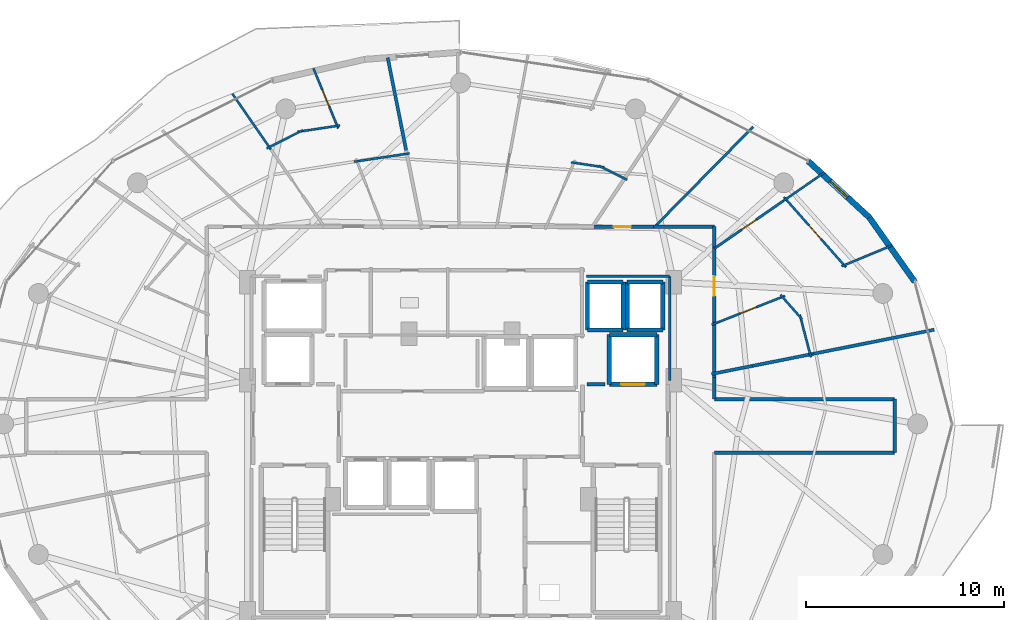
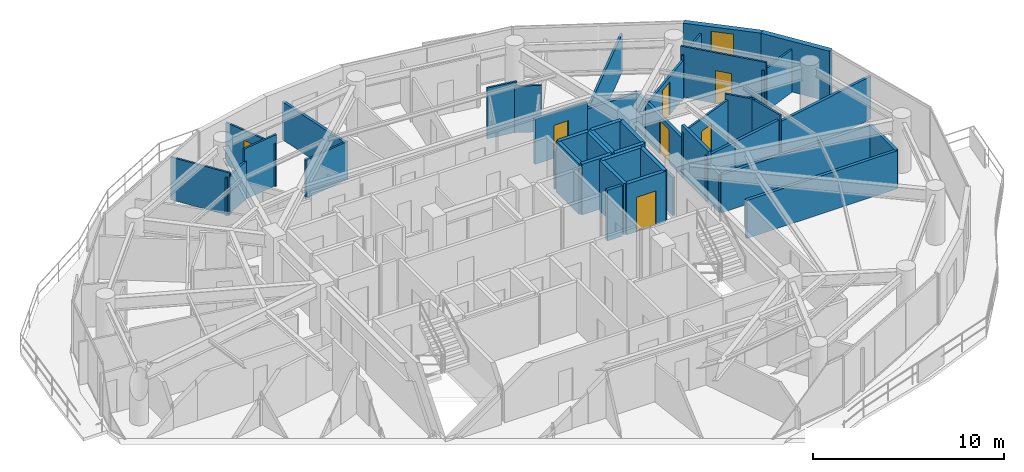
# One storey, part 25 of 30: 45 walls, 7 doors, 1 window, 8 openings.
"""IFC4 building model written with IfcOpenShell, lengths in metres."""

from ifc_helpers import new_model, si_unit, direction, frame, frame_2d, origin, place, context, subcontext, project, spatial, rectangle, extrude, material, layer, layer_set, type_object, element, fill, save


model = new_model("IFC4")

# Units and contexts
model_context = context("Model", 3, precision=1e-05, world=origin(), true_north=direction((0.0, 1.0)))
body_context = subcontext(model_context, "Body", "Model", "MODEL_VIEW")
ifc_project = project(units=[si_unit("LENGTHUNIT", "METRE"), si_unit("AREAUNIT", "SQUARE_METRE"), si_unit("VOLUMEUNIT", "CUBIC_METRE"), si_unit("PLANEANGLEUNIT", "RADIAN"), si_unit("MASSUNIT", "GRAM", prefix="KILO")], contexts=[model_context])

# Site, building, storey
site_placement = place(None, origin())
site = spatial("IfcSite", under=ifc_project, at=site_placement, CompositionType="ELEMENT")
building_placement = place(site_placement, origin())
building = spatial("IfcBuilding", under=site, at=building_placement, Name="Vorneva Point Tower", CompositionType="ELEMENT")
storey_placement = place(building_placement, frame((0.0, 0.0, 153.60009765625)))
storey = spatial("IfcBuildingStorey", under=building, at=storey_placement, Name="L41", CompositionType="ELEMENT", Elevation=153.60009765625)

# Wall, opening, door
ifc_material_1 = material(Name="Concrete B60 (C50/60)", Category="concrete")
ifc_layer_1 = layer(ifc_material_1, 0.5)
ifc_layer_set_1 = layer_set([ifc_layer_1], Name="Concrete B60 (C50/60)")
wall_type_1 = type_object("IfcWallType", Name="WL-CORE-500", PredefinedType="SHEAR", material=ifc_layer_set_1)
wall_1_placement = place(storey_placement, frame((45.5, 28.0, 0.0), z_axis=(0.0, 0.0, 1.0), x_axis=(1.0, 0.0, 0.0)))
wall_1 = element("IfcWall", 1, at=wall_1_placement, inside=storey, type_object=wall_type_1, Name="L41 Lift FFL2 Shaft Wall -Y", PredefinedType="SHEAR", context=body_context, shape_type="SweptSolid", body=[
    extrude(rectangle(XDim=2.39990234375, YDim=0.219970703125, at=frame_2d((1.199951171875, 0.0))), origin(), (0.0, 0.0, 1.0), 3.239990234375),
])
opening_1_placement = place(wall_1_placement, frame((0.60009765625, 0.0, 0.0)))
opening_1 = element("IfcOpeningElement", 2, at=opening_1_placement, cuts=wall_1, Name="Opening LD-02", PredefinedType="OPENING", context=body_context, shape_type="SweptSolid", body=[
    extrude(rectangle(XDim=1.199951171875, YDim=2.199951171875, at=frame_2d((0.60009765625, 1.10009765625))), frame((0.0, 0.125, 0.0), z_axis=(0.0, -1.0, 0.0), x_axis=(1.0, 0.0, 0.0)), (0.0, 0.0, 1.0), 0.249755859375),
])
ifc_material_2 = material(Name="Brushed stainless steel S304", Category="steel")
door_type_1 = type_object("IfcDoorType", Name="LD-FIRE-1200", OperationType="SLIDING_TO_LEFT", PredefinedType="DOOR", material=ifc_material_2)
door_1_placement = place(opening_1_placement, origin())
door_1 = element("IfcDoor", 3, at=door_1_placement, inside=storey, type_object=door_type_1, Name="L41 Lift FFL2 Sliding Landing Door", OperationType="SLIDING_TO_LEFT", OverallHeight=2.199951171875, OverallWidth=1.199951171875, PredefinedType="DOOR", context=body_context, shape_type="SweptSolid", body=[
    extrude(rectangle(XDim=1.199951171875, YDim=2.199951171875, at=frame_2d((0.60009765625, 1.10009765625))), frame((0.0, 0.02490234375, 0.0), z_axis=(0.0, -1.0, 0.0), x_axis=(1.0, 0.0, 0.0)), (0.0, 0.0, 1.0), 0.050048828125),
])
fill(opening_1, door_1)

# Walls
wall_2_placement = place(storey_placement, frame((47.89990234375, 28.0, 0.0), z_axis=(0.0, 0.0, 1.0), x_axis=(0.0, 1.0, 0.0)))
element("IfcWall", 4, at=wall_2_placement, inside=storey, type_object=wall_type_1, Name="L41 Lift FFL2 Shaft Wall +X", PredefinedType="SHEAR", context=body_context, shape_type="SweptSolid", body=[
    extrude(rectangle(XDim=2.5, YDim=0.219970703125, at=frame_2d((1.25, 0.0))), origin(), (0.0, 0.0, 1.0), 3.239990234375),
])
wall_3_placement = place(storey_placement, frame((47.89990234375, 30.5, 0.0), z_axis=(0.0, 0.0, 1.0), x_axis=(-1.0, 0.0, 0.0)))
element("IfcWall", 5, at=wall_3_placement, inside=storey, type_object=wall_type_1, Name="L41 Lift FFL2 Shaft Wall +Y", PredefinedType="SHEAR", context=body_context, shape_type="SweptSolid", body=[
    extrude(rectangle(XDim=2.39990234375, YDim=0.219970703125, at=frame_2d((1.199951171875, 0.0))), origin(), (0.0, 0.0, 1.0), 3.239990234375),
])
wall_4_placement = place(storey_placement, frame((45.5, 30.5, 0.0), z_axis=(0.0, 0.0, 1.0), x_axis=(0.0, -1.0, 0.0)))
element("IfcWall", 6, at=wall_4_placement, inside=storey, type_object=wall_type_1, Name="L41 Lift FFL2 Shaft Wall -X", PredefinedType="SHEAR", context=body_context, shape_type="SweptSolid", body=[
    extrude(rectangle(XDim=2.5, YDim=0.219970703125, at=frame_2d((1.25, 0.0))), origin(), (0.0, 0.0, 1.0), 3.239990234375),
])
ifc_material_3 = material(Name="Precast concrete B50 (C40/50)", Category="concrete")
ifc_layer_2 = layer(ifc_material_3, 0.300048828125)
ifc_layer_set_2 = layer_set([ifc_layer_2], Name="Precast concrete B50 (C40/50)")
wall_type_2 = type_object("IfcWallType", Name="WL-EXT-300", PredefinedType="STANDARD", material=ifc_layer_set_2)
wall_5_placement = place(storey_placement, frame((60.912109375, 33.17529296875, 0.0), z_axis=(0.0, 0.0, 1.0), x_axis=(-0.577269753207, 0.816553508371, 0.0)))
element("IfcWall", 7, at=wall_5_placement, inside=storey, type_object=wall_type_2, Name="L41 Pale-Metal Facade Spandrel Wall 02.1", PredefinedType="STANDARD", context=body_context, shape_type="SweptSolid", body=[
    extrude(rectangle(XDim=3.969970703125, YDim=0.300048828125, at=frame_2d((1.98486328125, 0.0))), origin(), (0.0, 0.0, 1.0), 3.239990234375),
])

# Wall, opening, window
wall_6_placement = place(storey_placement, frame((58.620361328125, 36.4169921875, 0.0), z_axis=(0.0, 0.0, 1.0), x_axis=(-0.735477154165, 0.677549522693, 0.0)))
wall_6 = element("IfcWall", 8, at=wall_6_placement, inside=storey, type_object=wall_type_2, Name="L41 Pale-Metal Facade Spandrel Wall 02.2", PredefinedType="STANDARD", context=body_context, shape_type="SweptSolid", body=[
    extrude(rectangle(XDim=4.193603515625, YDim=0.300048828125, at=frame_2d((2.0966796875, 0.0))), origin(), (0.0, 0.0, 1.0), 3.239990234375),
])
opening_2_placement = place(wall_6_placement, frame((1.496826171875, 0.0, 0.85009765625)))
opening_2 = element("IfcOpeningElement", 9, at=opening_2_placement, cuts=wall_6, Name="Opening W-04", PredefinedType="OPENING", context=body_context, shape_type="SweptSolid", body=[
    extrude(rectangle(XDim=1.199951171875, YDim=2.10009765625, at=frame_2d((0.60009765625, 1.050048828125))), frame((0.0, 0.1650390625, 0.0), z_axis=(0.0, -1.0, 0.0), x_axis=(1.0, 0.0, 0.0)), (0.0, 0.0, 1.0), 0.329833984375),
])
ifc_material_4 = material(Name="Double low-e laminated glass IGU", Category="glass")
window_type = type_object("IfcWindowType", Name="WN-RES-1200", PartitioningType="SINGLE_PANEL", PredefinedType="WINDOW", material=ifc_material_4)
window_placement = place(opening_2_placement, origin())
window = element("IfcWindow", 10, at=window_placement, inside=storey, type_object=window_type, Name="L41 Facade Window 02", OverallHeight=2.10009765625, OverallWidth=1.199951171875, PartitioningType="SINGLE_PANEL", PredefinedType="WINDOW", context=body_context, shape_type="SweptSolid", body=[
    extrude(rectangle(XDim=1.199951171875, YDim=2.10009765625, at=frame_2d((0.60009765625, 1.050048828125))), frame((0.0, 0.030029296875, 0.0), z_axis=(0.0, -1.0, 0.0), x_axis=(1.0, 0.0, 0.0)), (0.0, 0.0, 1.0), 0.06005859375),
])
fill(opening_2, window)

# Wall, opening, door
ifc_material_5 = material(Name="Fire-rated acoustic gypsum stud partition", Category="gypsum")
ifc_layer_3 = layer(ifc_material_5, 0.110107421875)
ifc_layer_set_3 = layer_set([ifc_layer_3], Name="Fire-rated acoustic gypsum stud partition")
wall_type_3 = type_object("IfcWallType", Name="WL-PART-110", PredefinedType="PARTITIONING", material=ifc_layer_set_3)
wall_7_placement = place(storey_placement, frame((50.669921875, 31.002685546875, 0.0), z_axis=(0.0, 0.0, 1.0), x_axis=(0.930092731386, 0.367324803169, 0.0)))
wall_7 = element("IfcWall", 11, at=wall_7_placement, inside=storey, type_object=wall_type_3, Name="L41 Interior Partition 064", PredefinedType="PARTITIONING", context=body_context, shape_type="SweptSolid", body=[
    extrude(rectangle(XDim=3.968505859375, YDim=0.110107421875, at=frame_2d((1.984375, 0.0))), origin(), (0.0, 0.0, 1.0), 2.885986328125),
])
opening_3_placement = place(wall_7_placement, frame((1.559326171875, 0.0, 0.0)))
opening_3 = element("IfcOpeningElement", 12, at=opening_3_placement, cuts=wall_7, Name="Opening ID-02", PredefinedType="OPENING", context=body_context, shape_type="SweptSolid", body=[
    extrude(rectangle(XDim=0.85009765625, YDim=2.10009765625, at=frame_2d((0.425048828125, 1.050048828125))), frame((0.0, 0.06982421875, 0.0), z_axis=(0.0, -1.0, 0.0), x_axis=(1.0, 0.0, 0.0)), (0.0, 0.0, 1.0), 0.139892578125),
])
ifc_material_6 = material(Name="Engineered oak fire-rated door leaf", Category="wood")
door_type_2 = type_object("IfcDoorType", Name="DR-BATH-850", OperationType="NOTDEFINED", PredefinedType="DOOR", material=ifc_material_6)
door_2_placement = place(opening_3_placement, origin())
door_2 = element("IfcDoor", 13, at=door_2_placement, inside=storey, type_object=door_type_2, Name="L41 Door Living and Dining Room L41-01 / Bathroom L41-01", OperationType="SINGLE_SWING_RIGHT", OverallHeight=2.10009765625, OverallWidth=0.85009765625, PredefinedType="DOOR", context=body_context, shape_type="SweptSolid", body=[
    extrude(rectangle(XDim=0.85009765625, YDim=2.10009765625, at=frame_2d((0.425048828125, 1.050048828125))), frame((0.0, 0.02490234375, 0.0), z_axis=(0.0, -1.0, 0.0), x_axis=(1.0, 0.0, 0.0)), (0.0, 0.0, 1.0), 0.050048828125),
])
fill(opening_3, door_2)

# Walls
wall_8_placement = place(storey_placement, frame((54.138427734375, 32.513916015625, 0.0), z_axis=(0.0, 0.0, 1.0), x_axis=(0.661645897528, -0.749816448396, 0.0)))
element("IfcWall", 14, at=wall_8_placement, inside=storey, type_object=wall_type_3, Name="L41 Interior Partition 065", PredefinedType="PARTITIONING", context=body_context, shape_type="SweptSolid", body=[
    extrude(rectangle(XDim=1.6640625, YDim=0.110107421875, at=frame_2d((0.83203125, 0.0))), origin(), (0.0, 0.0, 1.0), 3.239990234375),
])
wall_9_placement = place(storey_placement, frame((55.111328125, 31.50634765625, 0.0), z_axis=(0.0, 0.0, 1.0), x_axis=(0.254389812051, -0.967101764823, 0.0)))
element("IfcWall", 15, at=wall_9_placement, inside=storey, type_object=wall_type_3, Name="L41 Interior Partition 066", PredefinedType="PARTITIONING", context=body_context, shape_type="SweptSolid", body=[
    extrude(rectangle(XDim=2.206298828125, YDim=0.110107421875, at=frame_2d((1.10302734375, 0.0))), origin(), (0.0, 0.0, 1.0), 3.239990234375),
])
wall_10_placement = place(storey_placement, frame((59.7783203125, 35.012451171875, 0.0), z_axis=(0.0, 0.0, 1.0), x_axis=(-0.924067287951, -0.382229835751, 0.0)))
element("IfcWall", 16, at=wall_10_placement, inside=storey, type_object=wall_type_3, Name="L41 Interior Partition 067", PredefinedType="PARTITIONING", context=body_context, shape_type="SweptSolid", body=[
    extrude(rectangle(XDim=2.770263671875, YDim=0.110107421875, at=frame_2d((1.38525390625, 0.0))), origin(), (0.0, 0.0, 1.0), 2.727783203125),
])

# Wall, opening, door
wall_11_placement = place(storey_placement, frame((57.440673828125, 33.902099609375, 0.0), z_axis=(0.0, 0.0, 1.0), x_axis=(-0.662122223318, 0.749395864272, 0.0)))
wall_11 = element("IfcWall", 17, at=wall_11_placement, inside=storey, type_object=wall_type_3, Name="L41 Interior Partition 068", PredefinedType="PARTITIONING", context=body_context, shape_type="SweptSolid", body=[
    extrude(rectangle(XDim=4.724853515625, YDim=0.110107421875, at=frame_2d((2.3623046875, 0.0))), origin(), (0.0, 0.0, 1.0), 3.239990234375),
])
opening_4_placement = place(wall_11_placement, frame((1.912353515625, 0.0, 0.0)))
opening_4 = element("IfcOpeningElement", 18, at=opening_4_placement, cuts=wall_11, Name="Opening ID-01", PredefinedType="OPENING", context=body_context, shape_type="SweptSolid", body=[
    extrude(rectangle(XDim=0.89990234375, YDim=2.10009765625, at=frame_2d((0.449951171875, 1.050048828125))), frame((0.0, 0.06982421875, 0.0), z_axis=(0.0, -1.0, 0.0), x_axis=(1.0, 0.0, 0.0)), (0.0, 0.0, 1.0), 0.139892578125),
])
door_type_3 = type_object("IfcDoorType", Name="DR-ROOM-900", OperationType="NOTDEFINED", PredefinedType="DOOR", material=ifc_material_6)
door_3_placement = place(opening_4_placement, origin())
door_3 = element("IfcDoor", 19, at=door_3_placement, inside=storey, type_object=door_type_3, Name="L41 Door Living and Dining Room L41-01 / Kitchen L41-01", OperationType="SINGLE_SWING_LEFT", OverallHeight=2.10009765625, OverallWidth=0.89990234375, PredefinedType="DOOR", context=body_context, shape_type="SweptSolid", body=[
    extrude(rectangle(XDim=0.89990234375, YDim=2.10009765625, at=frame_2d((0.449951171875, 1.050048828125))), frame((0.0, 0.02490234375, 0.0), z_axis=(0.0, -1.0, 0.0), x_axis=(1.0, 0.0, 0.0)), (0.0, 0.0, 1.0), 0.050048828125),
])
fill(opening_4, door_3)

# Walls
wall_12_placement = place(storey_placement, frame((54.289794921875, 37.25830078125, 0.0), z_axis=(0.0, 0.0, 1.0), x_axis=(0.822632807799, 0.568573006335, 0.0)))
element("IfcWall", 20, at=wall_12_placement, inside=storey, type_object=wall_type_3, Name="L41 Interior Partition 069", PredefinedType="PARTITIONING", context=body_context, shape_type="SweptSolid", body=[
    extrude(rectangle(XDim=2.511962890625, YDim=0.110107421875, at=frame_2d((1.255859375, 0.0))), origin(), (0.0, 0.0, 1.0), 2.727783203125),
])
wall_13_placement = place(storey_placement, frame((43.57861328125, 39.19677734375, 0.0), z_axis=(0.0, 0.0, 1.0), x_axis=(0.988928896576, -0.148390153032, 0.0)))
element("IfcWall", 21, at=wall_13_placement, inside=storey, type_object=wall_type_3, Name="L41 Interior Partition 077", PredefinedType="PARTITIONING", context=body_context, shape_type="SweptSolid", body=[
    extrude(rectangle(XDim=1.681396484375, YDim=0.110107421875, at=frame_2d((0.8408203125, 0.0))), origin(), (0.0, 0.0, 1.0), 3.239990234375),
])
wall_14_placement = place(storey_placement, frame((44.97802734375, 39.03125, 0.0), z_axis=(0.0, 0.0, 1.0), x_axis=(0.892388427115, -0.451268096758, 0.0)))
element("IfcWall", 22, at=wall_14_placement, inside=storey, type_object=wall_type_3, Name="L41 Interior Partition 078", PredefinedType="PARTITIONING", context=body_context, shape_type="SweptSolid", body=[
    extrude(rectangle(XDim=1.587890625, YDim=0.110107421875, at=frame_2d((0.7939453125, 0.0))), origin(), (0.0, 0.0, 1.0), 2.971923828125),
])
wall_15_placement = place(storey_placement, frame((32.630615234375, 39.228271484375, 0.0), z_axis=(0.0, 0.0, 1.0), x_axis=(0.988890718673, 0.148644362566, 0.0)))
element("IfcWall", 23, at=wall_15_placement, inside=storey, type_object=wall_type_3, Name="L41 Interior Partition 088", PredefinedType="PARTITIONING", context=body_context, shape_type="SweptSolid", body=[
    extrude(rectangle(XDim=2.828369140625, YDim=0.110107421875, at=frame_2d((1.4140625, 0.0))), origin(), (0.0, 0.0, 1.0), 2.431884765625),
])

# Wall, opening, door
wall_16_placement = place(storey_placement, frame((30.576416015625, 43.9375, 0.0), z_axis=(0.0, 0.0, 1.0), x_axis=(0.382336453712, -0.924023179451, 0.0)))
wall_16 = element("IfcWall", 24, at=wall_16_placement, inside=storey, type_object=wall_type_3, Name="L41 Interior Partition 089", PredefinedType="PARTITIONING", context=body_context, shape_type="SweptSolid", body=[
    extrude(rectangle(XDim=3.2802734375, YDim=0.110107421875, at=frame_2d((1.64013671875, 0.0))), origin(), (0.0, 0.0, 1.0), 2.727783203125),
])
opening_5_placement = place(wall_16_placement, frame((1.18994140625, 0.0, 0.0)))
opening_5 = element("IfcOpeningElement", 25, at=opening_5_placement, cuts=wall_16, Name="Opening ID-01", PredefinedType="OPENING", context=body_context, shape_type="SweptSolid", body=[
    extrude(rectangle(XDim=0.89990234375, YDim=2.10009765625, at=frame_2d((0.449951171875, 1.050048828125))), frame((0.0, 0.06982421875, 0.0), z_axis=(0.0, -1.0, 0.0), x_axis=(1.0, 0.0, 0.0)), (0.0, 0.0, 1.0), 0.139892578125),
])
door_4_placement = place(opening_5_placement, origin())
door_4 = element("IfcDoor", 26, at=door_4_placement, inside=storey, type_object=door_type_3, Name="L41 Door Living and Dining Room L41-03 / Kitchen L41-03", OperationType="SINGLE_SWING_RIGHT", OverallHeight=2.10009765625, OverallWidth=0.89990234375, PredefinedType="DOOR", context=body_context, shape_type="SweptSolid", body=[
    extrude(rectangle(XDim=0.89990234375, YDim=2.10009765625, at=frame_2d((0.449951171875, 1.050048828125))), frame((0.0, 0.02490234375, 0.0), z_axis=(0.0, -1.0, 0.0), x_axis=(1.0, 0.0, 0.0)), (0.0, 0.0, 1.0), 0.050048828125),
])
fill(opening_5, door_4)

# Walls
wall_17_placement = place(storey_placement, frame((31.915283203125, 41.056884765625, 0.0), z_axis=(0.0, 0.0, 1.0), x_axis=(-0.98883996758, -0.148981604626, 0.0)))
element("IfcWall", 27, at=wall_17_placement, inside=storey, type_object=wall_type_3, Name="L41 Interior Partition 090", PredefinedType="PARTITIONING", context=body_context, shape_type="SweptSolid", body=[
    extrude(rectangle(XDim=2.159912109375, YDim=0.110107421875, at=frame_2d((1.080078125, 0.0))), origin(), (0.0, 0.0, 1.0), 3.239990234375),
])
wall_18_placement = place(storey_placement, frame((30.04296875, 40.819091796875, 0.0), z_axis=(0.0, 0.0, 1.0), x_axis=(-0.892695055898, -0.450661222179, 0.0)))
element("IfcWall", 28, at=wall_18_placement, inside=storey, type_object=wall_type_3, Name="L41 Interior Partition 091", PredefinedType="PARTITIONING", context=body_context, shape_type="SweptSolid", body=[
    extrude(rectangle(XDim=2.03759765625, YDim=0.110107421875, at=frame_2d((1.018798828125, 0.0))), origin(), (0.0, 0.0, 1.0), 2.431884765625),
])
wall_19_placement = place(storey_placement, frame((28.4287109375, 39.848876953125, 0.0), z_axis=(0.0, 0.0, 1.0), x_axis=(-0.568554374161, 0.822645685349, 0.0)))
element("IfcWall", 29, at=wall_19_placement, inside=storey, type_object=wall_type_3, Name="L41 Interior Partition 092", PredefinedType="PARTITIONING", context=body_context, shape_type="SweptSolid", body=[
    extrude(rectangle(XDim=3.408935546875, YDim=0.110107421875, at=frame_2d((1.70458984375, 0.0))), origin(), (0.0, 0.0, 1.0), 2.727783203125),
])

# Wall, opening, door
ifc_layer_4 = layer(ifc_material_5, 0.125)
ifc_layer_set_4 = layer_set([ifc_layer_4], Name="Fire-rated acoustic gypsum stud partition")
wall_type_4 = type_object("IfcWallType", Name="WL-PART-125", PredefinedType="PARTITIONING", material=ifc_layer_set_4)
wall_20_placement = place(storey_placement, frame((54.289794921875, 37.258544921875, 0.0), z_axis=(0.0, 0.0, 1.0), x_axis=(-0.822672586971, -0.568515448027, 0.0)))
wall_20 = element("IfcWall", 30, at=wall_20_placement, inside=storey, type_object=wall_type_4, Name="L41 Interior Partition 070", PredefinedType="PARTITIONING", context=body_context, shape_type="SweptSolid", body=[
    extrude(rectangle(XDim=4.241943359375, YDim=0.125, at=frame_2d((2.12109375, 0.0))), origin(), (0.0, 0.0, 1.0), 2.431884765625),
])
opening_6_placement = place(wall_20_placement, frame((1.6708984375, 0.0, 0.0)))
opening_6 = element("IfcOpeningElement", 31, at=opening_6_placement, cuts=wall_20, Name="Opening ID-01", PredefinedType="OPENING", context=body_context, shape_type="SweptSolid", body=[
    extrude(rectangle(XDim=0.89990234375, YDim=2.10009765625, at=frame_2d((0.449951171875, 1.050048828125))), frame((0.0, 0.077392578125, 0.0), z_axis=(0.0, -1.0, 0.0), x_axis=(1.0, 0.0, 0.0)), (0.0, 0.0, 1.0), 0.15478515625),
])
door_5_placement = place(opening_6_placement, origin())
door_5 = element("IfcDoor", 32, at=door_5_placement, inside=storey, type_object=door_type_3, Name="L41 Door Living and Dining Room L41-01 / Master Bedroom L41-01.1", OperationType="SINGLE_SWING_RIGHT", OverallHeight=2.10009765625, OverallWidth=0.89990234375, PredefinedType="DOOR", context=body_context, shape_type="SweptSolid", body=[
    extrude(rectangle(XDim=0.89990234375, YDim=2.10009765625, at=frame_2d((0.449951171875, 1.050048828125))), frame((0.0, 0.02490234375, 0.0), z_axis=(0.0, -1.0, 0.0), x_axis=(1.0, 0.0, 0.0)), (0.0, 0.0, 1.0), 0.050048828125),
])
fill(opening_6, door_5)

# Walls
wall_21_placement = place(storey_placement, frame((52.7509765625, 40.985107421875, 0.0), z_axis=(0.0, 0.0, 1.0), x_axis=(-0.701486551238, -0.712682691268, 0.0)))
element("IfcWall", 33, at=wall_21_placement, inside=storey, type_object=wall_type_4, Name="L41 Interior Partition 074", PredefinedType="PARTITIONING", context=body_context, shape_type="SweptSolid", body=[
    extrude(rectangle(XDim=7.065185546875, YDim=0.125, at=frame_2d((3.53271484375, 0.0))), origin(), (0.0, 0.0, 1.0), 2.431884765625),
])
ifc_layer_5 = layer(ifc_material_5, 0.139892578125)
ifc_layer_set_5 = layer_set([ifc_layer_5], Name="Fire-rated acoustic gypsum stud partition")
wall_type_5 = type_object("IfcWallType", Name="WL-PART-140", PredefinedType="PARTITIONING", material=ifc_layer_set_5)
wall_22_placement = place(storey_placement, frame((48.550048828125, 28.196044921875, 0.0), z_axis=(0.0, 0.0, 1.0), x_axis=(0.0, 1.0, 0.0)))
element("IfcWall", 34, at=wall_22_placement, inside=storey, type_object=wall_type_5, Name="L41 Interior Closure Partition 146", PredefinedType="PARTITIONING", context=body_context, shape_type="SweptSolid", body=[
    extrude(rectangle(XDim=5.25390625, YDim=0.139892578125, at=frame_2d((2.626953125, 0.0))), origin(), (0.0, 0.0, 1.0), 2.431884765625),
])
wall_23_placement = place(storey_placement, frame((48.550048828125, 33.449951171875, 0.0), z_axis=(0.0, 0.0, 1.0), x_axis=(-1.0, 0.0, 0.0)))
element("IfcWall", 35, at=wall_23_placement, inside=storey, type_object=wall_type_5, Name="L41 Interior Closure Partition 147", PredefinedType="PARTITIONING", context=body_context, shape_type="SweptSolid", body=[
    extrude(rectangle(XDim=4.2099609375, YDim=0.139892578125, at=frame_2d((2.10498046875, 0.0))), origin(), (0.0, 0.0, 1.0), 2.431884765625),
])
ifc_layer_6 = layer(ifc_material_5, 0.159912109375)
ifc_layer_set_6 = layer_set([ifc_layer_6], Name="Fire-rated acoustic gypsum stud partition")
wall_type_6 = type_object("IfcWallType", Name="WL-PART-160", PredefinedType="PARTITIONING", material=ifc_layer_set_6)
wall_24_placement = place(storey_placement, frame((55.636962890625, 29.508056640625, 0.0), z_axis=(0.0, 0.0, 1.0), x_axis=(0.98077041661, 0.19516503248, 0.0)))
element("IfcWall", 36, at=wall_24_placement, inside=storey, type_object=wall_type_6, Name="L41 Interior Partition 071", PredefinedType="PARTITIONING", context=body_context, shape_type="SweptSolid", body=[
    extrude(rectangle(XDim=6.36865234375, YDim=0.159912109375, at=frame_2d((3.184326171875, 0.0))), origin(), (0.0, 0.0, 1.0), 2.727783203125),
])
wall_25_placement = place(storey_placement, frame((52.57373046875, 28.898681640625, 0.0), z_axis=(0.0, 0.0, 1.0), x_axis=(0.980781574696, 0.195108950939, 0.0)))
element("IfcWall", 37, at=wall_25_placement, inside=storey, type_object=wall_type_6, Name="L41 Interior Partition 072", PredefinedType="PARTITIONING", context=body_context, shape_type="SweptSolid", body=[
    extrude(rectangle(XDim=3.263427734375, YDim=0.159912109375, at=frame_2d((1.6318359375, 0.0))), origin(), (0.0, 0.0, 1.0), 2.885986328125),
])
wall_26_placement = place(storey_placement, frame((50.66259765625, 28.518798828125, 0.0), z_axis=(0.0, 0.0, 1.0), x_axis=(0.980804842296, 0.194991951961, 0.0)))
element("IfcWall", 38, at=wall_26_placement, inside=storey, type_object=wall_type_6, Name="L41 Interior Partition 073", PredefinedType="PARTITIONING", context=body_context, shape_type="SweptSolid", body=[
    extrude(rectangle(XDim=2.08837890625, YDim=0.159912109375, at=frame_2d((1.044189453125, 0.0))), origin(), (0.0, 0.0, 1.0), 2.885986328125),
])
wall_27_placement = place(storey_placement, frame((34.324951171875, 44.47509765625, 0.0), z_axis=(0.0, 0.0, 1.0), x_axis=(0.195054941626, -0.980792317337, 0.0)))
element("IfcWall", 39, at=wall_27_placement, inside=storey, type_object=wall_type_6, Name="L41 Interior Partition 085", PredefinedType="PARTITIONING", context=body_context, shape_type="SweptSolid", body=[
    extrude(rectangle(XDim=4.911376953125, YDim=0.159912109375, at=frame_2d((2.45556640625, 0.0))), origin(), (0.0, 0.0, 1.0), 2.431884765625),
])

# Wall, opening, door
ifc_material_7 = material(Name="Autoclaved aerated concrete blockwork", Category="masonry")
ifc_layer_7 = layer(ifc_material_7, 0.179931640625)
ifc_layer_set_7 = layer_set([ifc_layer_7], Name="Autoclaved aerated concrete blockwork")
wall_type_7 = type_object("IfcWallType", Name="WL-PART-180", PredefinedType="PARTITIONING", material=ifc_layer_set_7)
wall_28_placement = place(storey_placement, frame((50.800048828125, 30.993896484375, 0.0), z_axis=(0.0, 0.0, 1.0), x_axis=(0.0, 1.0, 0.0)))
wall_28 = element("IfcWall", 40, at=wall_28_placement, inside=storey, type_object=wall_type_7, Name="L41 Interior Partition 026", PredefinedType="PARTITIONING", context=body_context, shape_type="SweptSolid", body=[
    extrude(rectangle(XDim=3.926025390625, YDim=0.179931640625, at=frame_2d((1.962890625, 0.0))), origin(), (0.0, 0.0, 1.0), 2.431884765625),
])
opening_7_placement = place(wall_28_placement, frame((1.462890625, 0.0, 0.0)))
opening_7 = element("IfcOpeningElement", 41, at=opening_7_placement, cuts=wall_28, Name="Opening UD-01", PredefinedType="OPENING", context=body_context, shape_type="SweptSolid", body=[
    extrude(rectangle(XDim=1.0, YDim=2.14990234375, at=frame_2d((0.5, 1.074951171875))), frame((0.0, 0.10498046875, 0.0), z_axis=(0.0, -1.0, 0.0), x_axis=(1.0, 0.0, 0.0)), (0.0, 0.0, 1.0), 0.209716796875),
])
door_type_4 = type_object("IfcDoorType", Name="DR-UNIT-1000", OperationType="NOTDEFINED", PredefinedType="DOOR", material=ifc_material_6)
door_6_placement = place(opening_7_placement, origin())
door_6 = element("IfcDoor", 42, at=door_6_placement, inside=storey, type_object=door_type_4, Name="L41 Door L41 Circulation Corridor / Living and Dining Room L41-01", OperationType="SINGLE_SWING_LEFT", OverallHeight=2.14990234375, OverallWidth=1.0, PredefinedType="DOOR", context=body_context, shape_type="SweptSolid", body=[
    extrude(rectangle(XDim=1.0, YDim=2.14990234375, at=frame_2d((0.5, 1.074951171875))), frame((0.0, 0.02490234375, 0.0), z_axis=(0.0, -1.0, 0.0), x_axis=(1.0, 0.0, 0.0)), (0.0, 0.0, 1.0), 0.050048828125),
])
fill(opening_7, door_6)

# Walls
wall_29_placement = place(storey_placement, frame((50.800048828125, 28.345947265625, 0.0), z_axis=(0.0, 0.0, 1.0), x_axis=(0.0, 1.0, 0.0)))
element("IfcWall", 43, at=wall_29_placement, inside=storey, type_object=wall_type_7, Name="L41 Interior Partition 027", PredefinedType="PARTITIONING", context=body_context, shape_type="SweptSolid", body=[
    extrude(rectangle(XDim=2.7880859375, YDim=0.179931640625, at=frame_2d((1.39404296875, 0.0))), origin(), (0.0, 0.0, 1.0), 3.239990234375),
])
wall_30_placement = place(storey_placement, frame((50.800048828125, 34.919921875, 0.0), z_axis=(0.0, 0.0, 1.0), x_axis=(0.0, 1.0, 0.0)))
element("IfcWall", 44, at=wall_30_placement, inside=storey, type_object=wall_type_7, Name="L41 Interior Partition 028", PredefinedType="PARTITIONING", context=body_context, shape_type="SweptSolid", body=[
    extrude(rectangle(XDim=1.030029296875, YDim=0.179931640625, at=frame_2d((0.51513671875, 0.0))), origin(), (0.0, 0.0, 1.0), 2.431884765625),
])
wall_31_placement = place(storey_placement, frame((50.800048828125, 35.949951171875, 0.0), z_axis=(0.0, 0.0, 1.0), x_axis=(-1.0, 0.0, 0.0)))
element("IfcWall", 45, at=wall_31_placement, inside=storey, type_object=wall_type_7, Name="L41 Interior Partition 029", PredefinedType="PARTITIONING", context=body_context, shape_type="SweptSolid", body=[
    extrude(rectangle(XDim=3.06494140625, YDim=0.179931640625, at=frame_2d((1.532470703125, 0.0))), origin(), (0.0, 0.0, 1.0), 2.431884765625),
])

# Wall, opening, door
wall_32_placement = place(storey_placement, frame((47.735107421875, 35.949951171875, 0.0), z_axis=(0.0, 0.0, 1.0), x_axis=(-1.0, 0.0, 0.0)))
wall_32 = element("IfcWall", 46, at=wall_32_placement, inside=storey, type_object=wall_type_7, Name="L41 Interior Partition 030", PredefinedType="PARTITIONING", context=body_context, shape_type="SweptSolid", body=[
    extrude(rectangle(XDim=3.147216796875, YDim=0.179931640625, at=frame_2d((1.57373046875, 0.0))), origin(), (0.0, 0.0, 1.0), 2.885986328125),
])
opening_8_placement = place(wall_32_placement, frame((1.1484375, 0.0, 0.0)))
opening_8 = element("IfcOpeningElement", 47, at=opening_8_placement, cuts=wall_32, Name="Opening ID-02", PredefinedType="OPENING", context=body_context, shape_type="SweptSolid", body=[
    extrude(rectangle(XDim=0.85009765625, YDim=2.10009765625, at=frame_2d((0.425048828125, 1.050048828125))), frame((0.0, 0.10498046875, 0.0), z_axis=(0.0, -1.0, 0.0), x_axis=(1.0, 0.0, 0.0)), (0.0, 0.0, 1.0), 0.209716796875),
])
door_7_placement = place(opening_8_placement, origin())
door_7 = element("IfcDoor", 48, at=door_7_placement, inside=storey, type_object=door_type_2, Name="L41 Access Door L41 Circulation Corridor", OperationType="SINGLE_SWING_RIGHT", OverallHeight=2.10009765625, OverallWidth=0.85009765625, PredefinedType="DOOR", context=body_context, shape_type="SweptSolid", body=[
    extrude(rectangle(XDim=0.85009765625, YDim=2.10009765625, at=frame_2d((0.425048828125, 1.050048828125))), frame((0.0, 0.02490234375, 0.0), z_axis=(0.0, -1.0, 0.0), x_axis=(1.0, 0.0, 0.0)), (0.0, 0.0, 1.0), 0.050048828125),
])
fill(opening_8, door_7)

# Walls
wall_33_placement = place(storey_placement, frame((50.800048828125, 24.550048828125, 0.0), z_axis=(0.0, 0.0, 1.0), x_axis=(1.0, 0.0, 0.0)))
element("IfcWall", 49, at=wall_33_placement, inside=storey, type_object=wall_type_7, Name="L41 Interior Partition 060", PredefinedType="PARTITIONING", context=body_context, shape_type="SweptSolid", body=[
    extrude(rectangle(XDim=9.099853515625, YDim=0.179931640625, at=frame_2d((4.5498046875, 0.0))), origin(), (0.0, 0.0, 1.0), 2.431884765625),
])
wall_34_placement = place(storey_placement, frame((59.89990234375, 24.550048828125, 0.0), z_axis=(0.0, 0.0, 1.0), x_axis=(0.0, 1.0, 0.0)))
element("IfcWall", 50, at=wall_34_placement, inside=storey, type_object=wall_type_7, Name="L41 Interior Partition 061", PredefinedType="PARTITIONING", context=body_context, shape_type="SweptSolid", body=[
    extrude(rectangle(XDim=2.699951171875, YDim=0.179931640625, at=frame_2d((1.35009765625, 0.0))), origin(), (0.0, 0.0, 1.0), 2.431884765625),
])
wall_35_placement = place(storey_placement, frame((59.89990234375, 27.25, 0.0), z_axis=(0.0, 0.0, 1.0), x_axis=(-1.0, 0.0, 0.0)))
element("IfcWall", 51, at=wall_35_placement, inside=storey, type_object=wall_type_7, Name="L41 Interior Partition 062", PredefinedType="PARTITIONING", context=body_context, shape_type="SweptSolid", body=[
    extrude(rectangle(XDim=9.099853515625, YDim=0.179931640625, at=frame_2d((4.5498046875, 0.0))), origin(), (0.0, 0.0, 1.0), 2.431884765625),
])
wall_36_placement = place(storey_placement, frame((50.800048828125, 27.25, 0.0), z_axis=(0.0, 0.0, 1.0), x_axis=(0.0, 1.0, 0.0)))
element("IfcWall", 52, at=wall_36_placement, inside=storey, type_object=wall_type_7, Name="L41 Interior Partition 063", PredefinedType="PARTITIONING", context=body_context, shape_type="SweptSolid", body=[
    extrude(rectangle(XDim=1.095947265625, YDim=0.179931640625, at=frame_2d((0.5478515625, 0.0))), origin(), (0.0, 0.0, 1.0), 2.431884765625),
])
wall_37_placement = place(storey_placement, frame((45.280029296875, 28.0, 0.0), z_axis=(0.0, 0.0, 1.0), x_axis=(-1.0, 0.0, 0.0)))
element("IfcWall", 53, at=wall_37_placement, inside=storey, type_object=wall_type_7, Name="L41 Interior Closure Partition 137", PredefinedType="PARTITIONING", context=body_context, shape_type="SweptSolid", body=[
    extrude(rectangle(XDim=0.9150390625, YDim=0.179931640625, at=frame_2d((0.45751953125, 0.0))), origin(), (0.0, 0.0, 1.0), 3.239990234375),
])
ifc_material_8 = material(Name="Concrete B50 (C40/50)", Category="concrete")
ifc_layer_8 = layer(ifc_material_8, 0.219970703125)
ifc_layer_set_8 = layer_set([ifc_layer_8], Name="Concrete B50 (C40/50)")
wall_type_8 = type_object("IfcWallType", Name="WL-SHFT-220", PredefinedType="SOLIDWALL", material=ifc_layer_set_8)
wall_38_placement = place(storey_placement, frame((44.39990234375, 30.739990234375, 0.0), z_axis=(0.0, 0.0, 1.0), x_axis=(1.0, 0.0, 0.0)))
element("IfcWall", 54, at=wall_38_placement, inside=storey, type_object=wall_type_8, Name="L41 Lift EX1 Shaft Wall -Y", PredefinedType="SOLIDWALL", context=body_context, shape_type="SweptSolid", body=[
    extrude(rectangle(XDim=1.800048828125, YDim=0.219970703125, at=frame_2d((0.89990234375, 0.0))), origin(), (0.0, 0.0, 1.0), 3.239990234375),
])
wall_39_placement = place(storey_placement, frame((46.199951171875, 30.739990234375, 0.0), z_axis=(0.0, 0.0, 1.0), x_axis=(0.0, 1.0, 0.0)))
element("IfcWall", 55, at=wall_39_placement, inside=storey, type_object=wall_type_8, Name="L41 Lift EX1 Shaft Wall +X", PredefinedType="SOLIDWALL", context=body_context, shape_type="SweptSolid", body=[
    extrude(rectangle(XDim=2.419921875, YDim=0.219970703125, at=frame_2d((1.2099609375, 0.0))), origin(), (0.0, 0.0, 1.0), 3.239990234375),
])
wall_40_placement = place(storey_placement, frame((46.199951171875, 33.159912109375, 0.0), z_axis=(0.0, 0.0, 1.0), x_axis=(-1.0, 0.0, 0.0)))
element("IfcWall", 56, at=wall_40_placement, inside=storey, type_object=wall_type_8, Name="L41 Lift EX1 Shaft Wall +Y", PredefinedType="SOLIDWALL", context=body_context, shape_type="SweptSolid", body=[
    extrude(rectangle(XDim=1.800048828125, YDim=0.219970703125, at=frame_2d((0.89990234375, 0.0))), origin(), (0.0, 0.0, 1.0), 3.239990234375),
])
wall_41_placement = place(storey_placement, frame((44.39990234375, 33.159912109375, 0.0), z_axis=(0.0, 0.0, 1.0), x_axis=(0.0, -1.0, 0.0)))
element("IfcWall", 57, at=wall_41_placement, inside=storey, type_object=wall_type_8, Name="L41 Lift EX1 Shaft Wall -X", PredefinedType="SOLIDWALL", context=body_context, shape_type="SweptSolid", body=[
    extrude(rectangle(XDim=2.419921875, YDim=0.219970703125, at=frame_2d((1.2099609375, 0.0))), origin(), (0.0, 0.0, 1.0), 3.239990234375),
])
wall_42_placement = place(storey_placement, frame((46.39990234375, 30.739990234375, 0.0), z_axis=(0.0, 0.0, 1.0), x_axis=(1.0, 0.0, 0.0)))
element("IfcWall", 58, at=wall_42_placement, inside=storey, type_object=wall_type_8, Name="L41 Lift EX2 Shaft Wall -Y", PredefinedType="SOLIDWALL", context=body_context, shape_type="SweptSolid", body=[
    extrude(rectangle(XDim=1.800048828125, YDim=0.219970703125, at=frame_2d((0.89990234375, 0.0))), origin(), (0.0, 0.0, 1.0), 3.239990234375),
])
wall_43_placement = place(storey_placement, frame((48.199951171875, 30.739990234375, 0.0), z_axis=(0.0, 0.0, 1.0), x_axis=(0.0, 1.0, 0.0)))
element("IfcWall", 59, at=wall_43_placement, inside=storey, type_object=wall_type_8, Name="L41 Lift EX2 Shaft Wall +X", PredefinedType="SOLIDWALL", context=body_context, shape_type="SweptSolid", body=[
    extrude(rectangle(XDim=2.419921875, YDim=0.219970703125, at=frame_2d((1.2099609375, 0.0))), origin(), (0.0, 0.0, 1.0), 3.239990234375),
])
wall_44_placement = place(storey_placement, frame((48.199951171875, 33.159912109375, 0.0), z_axis=(0.0, 0.0, 1.0), x_axis=(-1.0, 0.0, 0.0)))
element("IfcWall", 60, at=wall_44_placement, inside=storey, type_object=wall_type_8, Name="L41 Lift EX2 Shaft Wall +Y", PredefinedType="SOLIDWALL", context=body_context, shape_type="SweptSolid", body=[
    extrude(rectangle(XDim=1.800048828125, YDim=0.219970703125, at=frame_2d((0.89990234375, 0.0))), origin(), (0.0, 0.0, 1.0), 3.239990234375),
])
wall_45_placement = place(storey_placement, frame((46.39990234375, 33.159912109375, 0.0), z_axis=(0.0, 0.0, 1.0), x_axis=(0.0, -1.0, 0.0)))
element("IfcWall", 61, at=wall_45_placement, inside=storey, type_object=wall_type_8, Name="L41 Lift EX2 Shaft Wall -X", PredefinedType="SOLIDWALL", context=body_context, shape_type="SweptSolid", body=[
    extrude(rectangle(XDim=2.419921875, YDim=0.219970703125, at=frame_2d((1.2099609375, 0.0))), origin(), (0.0, 0.0, 1.0), 3.239990234375),
])

save(model, "model.ifc")
